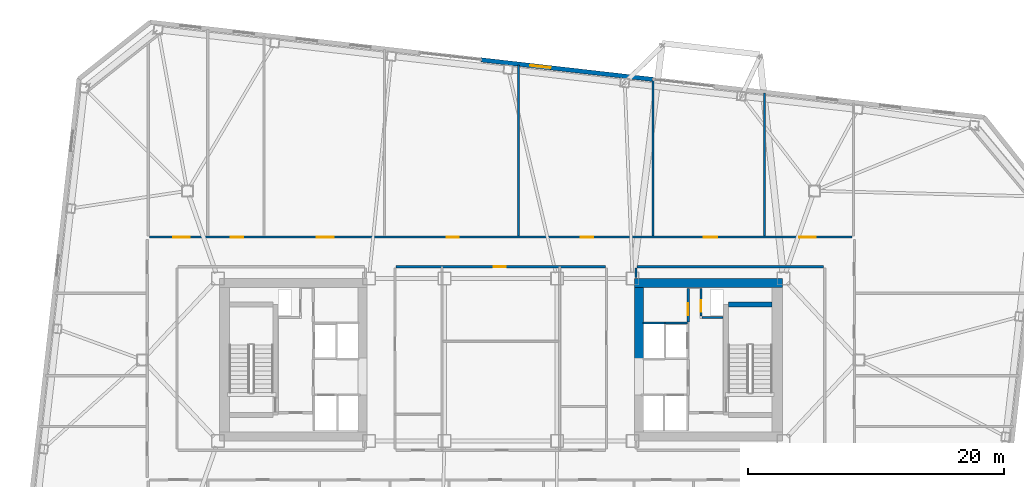
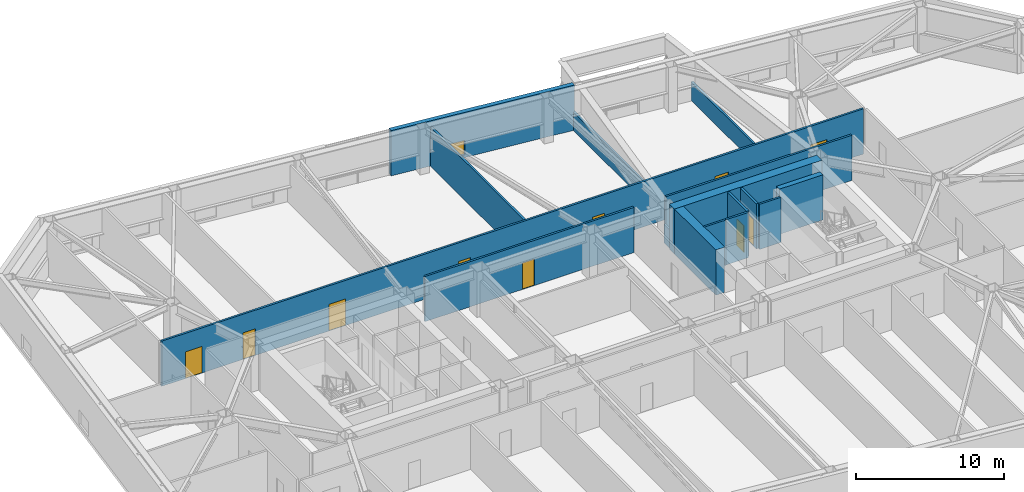
# One storey, part 14 of 21: 16 walls, 10 doors, 1 window, 11 openings.
"""IFC4 building model written with IfcOpenShell, lengths in metres."""

from ifc_helpers import new_model, si_unit, direction, frame, frame_2d, origin, place, context, subcontext, project, spatial, rectangle, extrude, material, layer, layer_set, type_object, element, fill, save


model = new_model("IFC4")

# Units and contexts
model_context = context("Model", 3, precision=1e-05, world=origin(), true_north=direction((0.0, 1.0)))
body_context = subcontext(model_context, "Body", "Model", "MODEL_VIEW")
ifc_project = project(units=[si_unit("LENGTHUNIT", "METRE"), si_unit("AREAUNIT", "SQUARE_METRE"), si_unit("VOLUMEUNIT", "CUBIC_METRE"), si_unit("PLANEANGLEUNIT", "RADIAN"), si_unit("MASSUNIT", "GRAM", prefix="KILO")], contexts=[model_context])

# Site, building, storey
site_placement = place(None, origin())
site = spatial("IfcSite", under=ifc_project, at=site_placement, CompositionType="ELEMENT")
building_placement = place(site_placement, origin())
building = spatial("IfcBuilding", under=site, at=building_placement, Name="Tavrogorsk Clinical Tower", CompositionType="ELEMENT")
storey_placement = place(building_placement, frame((0.0, 0.0, 109.39990234375)))
storey = spatial("IfcBuildingStorey", under=building, at=storey_placement, Name="L24", CompositionType="ELEMENT", Elevation=109.39990234375)

# Wall, opening, door
ifc_material_1 = material(Name="Concrete B60", Category="concrete")
ifc_layer_1 = layer(ifc_material_1, 0.199951171875)
ifc_layer_set_1 = layer_set([ifc_layer_1], Name="Concrete B60")
wall_type_1 = type_object("IfcWallType", Name="CoreFireWall_200", PredefinedType="SOLIDWALL", material=ifc_layer_set_1)
wall_1_placement = place(storey_placement, frame((14.639892578125, 2.9599609375, 0.0), z_axis=(0.0, 0.0, 1.0), x_axis=(0.0, 1.0, 0.0)))
wall_1 = element("IfcWall", 1, at=wall_1_placement, inside=storey, type_object=wall_type_1, Name="L24 Core East North Core Room East Wall", PredefinedType="SOLIDWALL", context=body_context, shape_type="SweptSolid", body=[
    extrude(rectangle(XDim=2.60009765625, YDim=0.199951171875, at=frame_2d((1.300048828125, 0.0))), origin(), (0.0, 0.0, 1.0), 3.739990234375),
])
opening_1_placement = place(wall_1_placement, frame((0.52001953125, 0.0, 0.0)))
opening_1 = element("IfcOpeningElement", 2, at=opening_1_placement, cuts=wall_1, Name="Opening ID-02", PredefinedType="OPENING", context=body_context, shape_type="SweptSolid", body=[
    extrude(rectangle(XDim=0.949951171875, YDim=2.199951171875, at=frame_2d((0.47509765625, 1.10009765625))), frame((0.0, 0.10986328125, 0.0), z_axis=(0.0, -1.0, 0.0), x_axis=(1.0, 0.0, 0.0)), (0.0, 0.0, 1.0), 0.219970703125),
])
ifc_material_2 = material(Name="Laminated timber leaf on aluminium frame", Category="wood")
door_type_1 = type_object("IfcDoorType", Name="InteriorDoor_ID02_950", OperationType="NOTDEFINED", PredefinedType="DOOR", material=ifc_material_2)
door_1_placement = place(opening_1_placement, origin())
door_1 = element("IfcDoor", 3, at=door_1_placement, inside=storey, type_object=door_type_1, Name="L24 Core East Core Telemetry Room Door", OperationType="SINGLE_SWING_LEFT", OverallHeight=2.199951171875, OverallWidth=0.949951171875, PredefinedType="DOOR", context=body_context, shape_type="SweptSolid", body=[
    extrude(rectangle(XDim=0.949951171875, YDim=2.199951171875, at=frame_2d((0.47509765625, 1.10009765625))), frame((0.0, 0.02490234375, 0.0), z_axis=(0.0, -1.0, 0.0), x_axis=(1.0, 0.0, 0.0)), (0.0, 0.0, 1.0), 0.050048828125),
])
fill(opening_1, door_1)

# Wall, openings, doors
ifc_material_3 = material(Name="Lightweight concrete blockwork B15", Category="masonry")
ifc_layer_2 = layer(ifc_material_3, 0.159912109375)
ifc_layer_set_2 = layer_set([ifc_layer_2], Name="Lightweight concrete blockwork B15")
wall_type_2 = type_object("IfcWallType", Name="PartitionWall_160", PredefinedType="PARTITIONING", material=ifc_layer_set_2)
wall_2_placement = place(storey_placement, frame((-27.465087890625, 9.580078125, 0.0), z_axis=(0.0, 0.0, 1.0), x_axis=(1.0, 0.0, 0.0)))
wall_2 = element("IfcWall", 4, at=wall_2_placement, inside=storey, type_object=wall_type_2, Name="L24 Corridor Partition 02", PredefinedType="PARTITIONING", context=body_context, shape_type="SweptSolid", body=[
    extrude(rectangle(XDim=54.93017578125, YDim=0.159912109375, at=frame_2d((27.465087890625, 0.0))), origin(), (0.0, 0.0, 1.0), 3.739990234375),
])
opening_2_placement = place(wall_2_placement, frame((1.869140625, 0.0, 0.0)))
opening_2 = element("IfcOpeningElement", 5, at=opening_2_placement, cuts=wall_2, Name="Opening ID-01", PredefinedType="OPENING", context=body_context, shape_type="SweptSolid", body=[
    extrude(rectangle(XDim=1.300048828125, YDim=2.199951171875, at=frame_2d((0.64990234375, 1.10009765625))), frame((0.0, 0.08984375, 0.0), z_axis=(0.0, -1.0, 0.0), x_axis=(1.0, 0.0, 0.0)), (0.0, 0.0, 1.0), 0.179931640625),
])
opening_3_placement = place(wall_2_placement, frame((6.375, 0.0, 0.0)))
opening_3 = element("IfcOpeningElement", 6, at=opening_3_placement, cuts=wall_2, Name="Opening ID-02", PredefinedType="OPENING", context=body_context, shape_type="SweptSolid", body=[
    extrude(rectangle(XDim=0.949951171875, YDim=2.199951171875, at=frame_2d((0.47509765625, 1.10009765625))), frame((0.0, 0.08984375, 0.0), z_axis=(0.0, -1.0, 0.0), x_axis=(1.0, 0.0, 0.0)), (0.0, 0.0, 1.0), 0.179931640625),
])
opening_4_placement = place(wall_2_placement, frame((13.10009765625, 0.0, 0.0)))
opening_4 = element("IfcOpeningElement", 7, at=opening_4_placement, cuts=wall_2, Name="Opening ID-01", PredefinedType="OPENING", context=body_context, shape_type="SweptSolid", body=[
    extrude(rectangle(XDim=1.300048828125, YDim=2.199951171875, at=frame_2d((0.64990234375, 1.10009765625))), frame((0.0, 0.08984375, 0.0), z_axis=(0.0, -1.0, 0.0), x_axis=(1.0, 0.0, 0.0)), (0.0, 0.0, 1.0), 0.179931640625),
])
opening_5_placement = place(wall_2_placement, frame((23.22509765625, 0.0, 0.0)))
opening_5 = element("IfcOpeningElement", 8, at=opening_5_placement, cuts=wall_2, Name="Opening ID-02", PredefinedType="OPENING", context=body_context, shape_type="SweptSolid", body=[
    extrude(rectangle(XDim=0.949951171875, YDim=2.199951171875, at=frame_2d((0.47509765625, 1.10009765625))), frame((0.0, 0.08984375, 0.0), z_axis=(0.0, -1.0, 0.0), x_axis=(1.0, 0.0, 0.0)), (0.0, 0.0, 1.0), 0.179931640625),
])
opening_6_placement = place(wall_2_placement, frame((33.72509765625, 0.0, 0.0)))
opening_6 = element("IfcOpeningElement", 9, at=opening_6_placement, cuts=wall_2, Name="Opening ID-02", PredefinedType="OPENING", context=body_context, shape_type="SweptSolid", body=[
    extrude(rectangle(XDim=0.949951171875, YDim=2.199951171875, at=frame_2d((0.47509765625, 1.10009765625))), frame((0.0, 0.08984375, 0.0), z_axis=(0.0, -1.0, 0.0), x_axis=(1.0, 0.0, 0.0)), (0.0, 0.0, 1.0), 0.179931640625),
])
opening_7_placement = place(wall_2_placement, frame((43.324951171875, 0.0, 0.0)))
opening_7 = element("IfcOpeningElement", 10, at=opening_7_placement, cuts=wall_2, Name="Opening ID-04", PredefinedType="OPENING", context=body_context, shape_type="SweptSolid", body=[
    extrude(rectangle(XDim=1.050048828125, YDim=2.199951171875, at=frame_2d((0.52490234375, 1.10009765625))), frame((0.0, 0.08984375, 0.0), z_axis=(0.0, -1.0, 0.0), x_axis=(1.0, 0.0, 0.0)), (0.0, 0.0, 1.0), 0.179931640625),
])
opening_8_placement = place(wall_2_placement, frame((50.781005859375, 0.0, 0.0)))
opening_8 = element("IfcOpeningElement", 11, at=opening_8_placement, cuts=wall_2, Name="Opening ID-01", PredefinedType="OPENING", context=body_context, shape_type="SweptSolid", body=[
    extrude(rectangle(XDim=1.300048828125, YDim=2.199951171875, at=frame_2d((0.64990234375, 1.10009765625))), frame((0.0, 0.08984375, 0.0), z_axis=(0.0, -1.0, 0.0), x_axis=(1.0, 0.0, 0.0)), (0.0, 0.0, 1.0), 0.179931640625),
])
ifc_material_4 = material(Name="Antibacterial HPL consultation door on aluminium frame", Category="aluminium")
door_type_2 = type_object("IfcDoorType", Name="ConsultDoor_ID04_1050", OperationType="NOTDEFINED", PredefinedType="DOOR", material=ifc_material_4)
door_2_placement = place(opening_7_placement, origin())
door_2 = element("IfcDoor", 12, at=door_2_placement, inside=storey, type_object=door_type_2, Name="L24 North Physiotherapy Rehab Studio 06 Door", OperationType="SINGLE_SWING_RIGHT", OverallHeight=2.199951171875, OverallWidth=1.050048828125, PredefinedType="DOOR", context=body_context, shape_type="SweptSolid", body=[
    extrude(rectangle(XDim=1.050048828125, YDim=2.199951171875, at=frame_2d((0.52490234375, 1.10009765625))), frame((0.0, 0.02490234375, 0.0), z_axis=(0.0, -1.0, 0.0), x_axis=(1.0, 0.0, 0.0)), (0.0, 0.0, 1.0), 0.050048828125),
])
fill(opening_7, door_2)
door_3_placement = place(opening_3_placement, origin())
door_3 = element("IfcDoor", 13, at=door_3_placement, inside=storey, type_object=door_type_1, Name="L24 North Multidisciplinary Case Room 02 Door", OperationType="SINGLE_SWING_RIGHT", OverallHeight=2.199951171875, OverallWidth=0.949951171875, PredefinedType="DOOR", context=body_context, shape_type="SweptSolid", body=[
    extrude(rectangle(XDim=0.949951171875, YDim=2.199951171875, at=frame_2d((0.47509765625, 1.10009765625))), frame((0.0, 0.02490234375, 0.0), z_axis=(0.0, -1.0, 0.0), x_axis=(1.0, 0.0, 0.0)), (0.0, 0.0, 1.0), 0.050048828125),
])
fill(opening_3, door_3)
door_4_placement = place(opening_5_placement, origin())
door_4 = element("IfcDoor", 14, at=door_4_placement, inside=storey, type_object=door_type_1, Name="L24 North Clinical Examination Suite 04 Door", OperationType="SINGLE_SWING_RIGHT", OverallHeight=2.199951171875, OverallWidth=0.949951171875, PredefinedType="DOOR", context=body_context, shape_type="SweptSolid", body=[
    extrude(rectangle(XDim=0.949951171875, YDim=2.199951171875, at=frame_2d((0.47509765625, 1.10009765625))), frame((0.0, 0.02490234375, 0.0), z_axis=(0.0, -1.0, 0.0), x_axis=(1.0, 0.0, 0.0)), (0.0, 0.0, 1.0), 0.050048828125),
])
fill(opening_5, door_4)
door_5_placement = place(opening_6_placement, origin())
door_5 = element("IfcDoor", 15, at=door_5_placement, inside=storey, type_object=door_type_1, Name="L24 North Diagnostic Ultrasound Suite 05 Door", OperationType="SINGLE_SWING_LEFT", OverallHeight=2.199951171875, OverallWidth=0.949951171875, PredefinedType="DOOR", context=body_context, shape_type="SweptSolid", body=[
    extrude(rectangle(XDim=0.949951171875, YDim=2.199951171875, at=frame_2d((0.47509765625, 1.10009765625))), frame((0.0, 0.02490234375, 0.0), z_axis=(0.0, -1.0, 0.0), x_axis=(1.0, 0.0, 0.0)), (0.0, 0.0, 1.0), 0.050048828125),
])
fill(opening_6, door_5)
ifc_material_5 = material(Name="Antibacterial HPL medical leaf on aluminium frame", Category="aluminium")
door_type_3 = type_object("IfcDoorType", Name="WardBedDoor_ID01_1300", OperationType="NOTDEFINED", PredefinedType="DOOR", material=ifc_material_5)
door_6_placement = place(opening_2_placement, origin())
door_6 = element("IfcDoor", 16, at=door_6_placement, inside=storey, type_object=door_type_3, Name="L24 North Sub-Acute Recovery Ward 01 Door", OperationType="SINGLE_SWING_LEFT", OverallHeight=2.199951171875, OverallWidth=1.300048828125, PredefinedType="DOOR", context=body_context, shape_type="SweptSolid", body=[
    extrude(rectangle(XDim=1.300048828125, YDim=2.199951171875, at=frame_2d((0.64990234375, 1.10009765625))), frame((0.0, 0.02490234375, 0.0), z_axis=(0.0, -1.0, 0.0), x_axis=(1.0, 0.0, 0.0)), (0.0, 0.0, 1.0), 0.050048828125),
])
fill(opening_2, door_6)
door_7_placement = place(opening_4_placement, origin())
door_7 = element("IfcDoor", 17, at=door_7_placement, inside=storey, type_object=door_type_3, Name="L24 North Inpatient Clinical Ward 03 Door", OperationType="SINGLE_SWING_LEFT", OverallHeight=2.199951171875, OverallWidth=1.300048828125, PredefinedType="DOOR", context=body_context, shape_type="SweptSolid", body=[
    extrude(rectangle(XDim=1.300048828125, YDim=2.199951171875, at=frame_2d((0.64990234375, 1.10009765625))), frame((0.0, 0.02490234375, 0.0), z_axis=(0.0, -1.0, 0.0), x_axis=(1.0, 0.0, 0.0)), (0.0, 0.0, 1.0), 0.050048828125),
])
fill(opening_4, door_7)
door_8_placement = place(opening_8_placement, origin())
door_8 = element("IfcDoor", 18, at=door_8_placement, inside=storey, type_object=door_type_3, Name="L24 North Step-Down Telemetry Ward 07 Door", OperationType="SINGLE_SWING_LEFT", OverallHeight=2.199951171875, OverallWidth=1.300048828125, PredefinedType="DOOR", context=body_context, shape_type="SweptSolid", body=[
    extrude(rectangle(XDim=1.300048828125, YDim=2.199951171875, at=frame_2d((0.64990234375, 1.10009765625))), frame((0.0, 0.02490234375, 0.0), z_axis=(0.0, -1.0, 0.0), x_axis=(1.0, 0.0, 0.0)), (0.0, 0.0, 1.0), 0.050048828125),
])
fill(opening_8, door_8)

# Walls
wall_3_placement = place(storey_placement, frame((25.235107421875, 7.27001953125, 0.0), z_axis=(0.0, 0.0, 1.0), x_axis=(-1.0, 0.0, 0.0)))
element("IfcWall", 19, at=wall_3_placement, inside=storey, type_object=wall_type_2, Name="L24 Corridor Partition 05", PredefinedType="PARTITIONING", context=body_context, shape_type="SweptSolid", body=[
    extrude(rectangle(XDim=14.570068359375, YDim=0.159912109375, at=frame_2d((7.28515625, 0.0))), origin(), (0.0, 0.0, 1.0), 3.739990234375),
])
wall_4_placement = place(storey_placement, frame((10.580078125, 7.18505859375, 0.0), z_axis=(0.0, 0.0, 1.0), x_axis=(0.0, -1.0, 0.0)))
element("IfcWall", 20, at=wall_4_placement, inside=storey, type_object=wall_type_2, Name="L24 Corridor Partition 06", PredefinedType="PARTITIONING", context=body_context, shape_type="SweptSolid", body=[
    extrude(rectangle(XDim=0.76513671875, YDim=0.159912109375, at=frame_2d((0.382568359375, 0.0))), origin(), (0.0, 0.0, 1.0), 1.53515625),
])

# Wall, opening, door
wall_5_placement = place(storey_placement, frame((8.18505859375, 7.27001953125, 0.0), z_axis=(0.0, 0.0, 1.0), x_axis=(-1.0, 0.0, 0.0)))
wall_5 = element("IfcWall", 21, at=wall_5_placement, inside=storey, type_object=wall_type_2, Name="L24 Corridor Partition 11", PredefinedType="PARTITIONING", context=body_context, shape_type="SweptSolid", body=[
    extrude(rectangle(XDim=16.3701171875, YDim=0.159912109375, at=frame_2d((8.18505859375, 0.0))), origin(), (0.0, 0.0, 1.0), 3.739990234375),
])
opening_9_placement = place(wall_5_placement, frame((7.794921875, 0.0, 0.0)))
opening_9 = element("IfcOpeningElement", 22, at=opening_9_placement, cuts=wall_5, Name="Opening ID-02", PredefinedType="OPENING", context=body_context, shape_type="SweptSolid", body=[
    extrude(rectangle(XDim=0.949951171875, YDim=2.199951171875, at=frame_2d((0.47509765625, 1.10009765625))), frame((0.0, 0.08984375, 0.0), z_axis=(0.0, -1.0, 0.0), x_axis=(1.0, 0.0, 0.0)), (0.0, 0.0, 1.0), 0.179931640625),
])
door_9_placement = place(opening_9_placement, origin())
door_9 = element("IfcDoor", 23, at=door_9_placement, inside=storey, type_object=door_type_1, Name="L24 Nurses' Station & Triage Hub Door", OperationType="SINGLE_SWING_LEFT", OverallHeight=2.199951171875, OverallWidth=0.949951171875, PredefinedType="DOOR", context=body_context, shape_type="SweptSolid", body=[
    extrude(rectangle(XDim=0.949951171875, YDim=2.199951171875, at=frame_2d((0.47509765625, 1.10009765625))), frame((0.0, 0.02490234375, 0.0), z_axis=(0.0, -1.0, 0.0), x_axis=(1.0, 0.0, 0.0)), (0.0, 0.0, 1.0), 0.050048828125),
])
fill(opening_9, door_9)

# Walls
wall_6_placement = place(storey_placement, frame((1.39990234375, 9.6650390625, 0.0), z_axis=(0.0, 0.0, 1.0), x_axis=(0.0, 1.0, 0.0)))
element("IfcWall", 24, at=wall_6_placement, inside=storey, type_object=wall_type_2, Name="L24 North Room Partition 4", PredefinedType="PARTITIONING", context=body_context, shape_type="SweptSolid", body=[
    extrude(rectangle(XDim=13.36767578125, YDim=0.159912109375, at=frame_2d((6.683837890625, 0.0))), origin(), (0.0, 0.0, 1.0), 3.235107421875),
])
wall_7_placement = place(storey_placement, frame((11.89990234375, 9.6650390625, 0.0), z_axis=(0.0, 0.0, 1.0), x_axis=(0.0, 1.0, 0.0)))
element("IfcWall", 25, at=wall_7_placement, inside=storey, type_object=wall_type_2, Name="L24 North Room Partition 5", PredefinedType="PARTITIONING", context=body_context, shape_type="SweptSolid", body=[
    extrude(rectangle(XDim=12.17138671875, YDim=0.159912109375, at=frame_2d((6.085693359375, 0.0))), origin(), (0.0, 0.0, 1.0), 1.53515625),
])
wall_8_placement = place(storey_placement, frame((20.60009765625, 9.6650390625, 0.0), z_axis=(0.0, 0.0, 1.0), x_axis=(0.0, 1.0, 0.0)))
element("IfcWall", 26, at=wall_8_placement, inside=storey, type_object=wall_type_2, Name="L24 North Room Partition 6", PredefinedType="PARTITIONING", context=body_context, shape_type="SweptSolid", body=[
    extrude(rectangle(XDim=11.18017578125, YDim=0.159912109375, at=frame_2d((5.590087890625, 0.0))), origin(), (0.0, 0.0, 1.0), 1.53515625),
])

# Wall, opening, window
ifc_material_6 = material(Name="Precast concrete B45 with limestone cladding", Category="masonry")
ifc_layer_3 = layer(ifc_material_6, 0.340087890625)
ifc_layer_set_3 = layer_set([ifc_layer_3], Name="Precast concrete B45 with limestone cladding")
wall_type_3 = type_object("IfcWallType", Name="PrecastLimestoneWall_340", PredefinedType="STANDARD", material=ifc_layer_set_3)
wall_9_placement = place(storey_placement, frame((11.921875, 21.904541015625, 0.0), z_axis=(0.0, 0.0, 1.0), x_axis=(-0.993571685551, 0.11320470693, 0.0)))
wall_9 = element("IfcWall", 27, at=wall_9_placement, inside=storey, type_object=wall_type_3, Name="L24 N Limestone Facade Wall 2", PredefinedType="STANDARD", context=body_context, shape_type="SweptSolid", body=[
    extrude(rectangle(XDim=13.554443359375, YDim=0.340087890625, at=frame_2d((6.77734375, 0.0))), origin(), (0.0, 0.0, 1.0), 3.739990234375),
])
opening_10_placement = place(wall_9_placement, frame((8.087890625, 0.0, 0.219970703125)))
opening_10 = element("IfcOpeningElement", 28, at=opening_10_placement, cuts=wall_9, Name="Opening WN-09", PredefinedType="OPENING", context=body_context, shape_type="SweptSolid", body=[
    extrude(rectangle(XDim=1.60009765625, YDim=1.199951171875, at=frame_2d((0.800048828125, 0.60009765625))), frame((0.0, 0.179931640625, 0.0), z_axis=(0.0, -1.0, 0.0), x_axis=(1.0, 0.0, 0.0)), (0.0, 0.0, 1.0), 0.360107421875),
])
ifc_material_7 = material(Name="Thermally broken aluminium frame and triple IGU", Category="aluminium")
window_type = type_object("IfcWindowType", Name="LowHeadTransWin_1600x1200", PartitioningType="DOUBLE_PANEL_VERTICAL", PredefinedType="WINDOW", material=ifc_material_7)
window_placement = place(opening_10_placement, origin())
window = element("IfcWindow", 29, at=window_placement, inside=storey, type_object=window_type, Name="L24 N Chicago Window 05", OverallHeight=1.199951171875, OverallWidth=1.60009765625, PartitioningType="SINGLE_PANEL", PredefinedType="WINDOW", context=body_context, shape_type="SweptSolid", body=[
    extrude(rectangle(XDim=1.60009765625, YDim=1.199951171875, at=frame_2d((0.800048828125, 0.60009765625))), frame((0.0, 0.030029296875, 0.0), z_axis=(0.0, -1.0, 0.0), x_axis=(1.0, 0.0, 0.0)), (0.0, 0.0, 1.0), 0.06005859375),
])
fill(opening_10, window)

# Walls
ifc_material_8 = material(Name="Lightweight concrete blockwork B25", Category="masonry")
ifc_layer_4 = layer(ifc_material_8, 0.159912109375)
ifc_layer_set_4 = layer_set([ifc_layer_4], Name="Lightweight concrete blockwork B25")
wall_type_4 = type_object("IfcWallType", Name="ShaftWall_160", PredefinedType="PARTITIONING", material=ifc_layer_set_4)
wall_10_placement = place(storey_placement, frame((12.840087890625, 2.8798828125, 0.0), z_axis=(0.0, 0.0, 1.0), x_axis=(1.0, 0.0, 0.0)))
element("IfcWall", 30, at=wall_10_placement, inside=storey, type_object=wall_type_4, Name="L24 FFL-E Shaft North Wall", PredefinedType="PARTITIONING", context=body_context, shape_type="SweptSolid", body=[
    extrude(rectangle(XDim=1.760009765625, YDim=0.159912109375, at=frame_2d((0.8798828125, 0.0))), origin(), (0.0, 0.0, 1.0), 3.739990234375),
])
wall_11_placement = place(storey_placement, frame((11.10009765625, 2.860107421875, 0.0), z_axis=(0.0, 0.0, 1.0), x_axis=(1.0, 0.0, 0.0)))
element("IfcWall", 31, at=wall_11_placement, inside=storey, type_object=wall_type_4, Name="L24 LP-H2 High-Zone Lift Rear Wall", PredefinedType="PARTITIONING", context=body_context, shape_type="SweptSolid", body=[
    extrude(rectangle(XDim=1.719970703125, YDim=0.159912109375, at=frame_2d((0.85986328125, 0.0))), origin(), (0.0, 0.0, 1.0), 3.739990234375),
])

# Wall, opening, door
wall_12_placement = place(storey_placement, frame((15.639892578125, 3.405029296875, 0.0), z_axis=(0.0, 0.0, 1.0), x_axis=(0.0, 1.0, 0.0)))
wall_12 = element("IfcWall", 32, at=wall_12_placement, inside=storey, type_object=wall_type_4, Name="L24 Core East Riser West Wall", PredefinedType="PARTITIONING", context=body_context, shape_type="SweptSolid", body=[
    extrude(rectangle(XDim=2.155029296875, YDim=0.159912109375, at=frame_2d((1.07763671875, 0.0))), origin(), (0.0, 0.0, 1.0), 3.739990234375),
])
opening_11_placement = place(wall_12_placement, frame((0.35009765625, 0.0, 0.0)))
opening_11 = element("IfcOpeningElement", 33, at=opening_11_placement, cuts=wall_12, Name="Opening FD-02", PredefinedType="OPENING", context=body_context, shape_type="SweptSolid", body=[
    extrude(rectangle(XDim=0.89990234375, YDim=2.199951171875, at=frame_2d((0.449951171875, 1.10009765625))), frame((0.0, 0.08984375, 0.0), z_axis=(0.0, -1.0, 0.0), x_axis=(1.0, 0.0, 0.0)), (0.0, 0.0, 1.0), 0.179931640625),
])
ifc_material_9 = material(Name="Galvanised steel fire-rated door assembly", Category="steel")
door_type_4 = type_object("IfcDoorType", Name="FireDoor_FD02_900", OperationType="NOTDEFINED", PredefinedType="DOOR", material=ifc_material_9)
door_10_placement = place(opening_11_placement, origin())
door_10 = element("IfcDoor", 34, at=door_10_placement, inside=storey, type_object=door_type_4, Name="L24 Core East Electrical Riser Access Door", OperationType="SINGLE_SWING_LEFT", OverallHeight=2.199951171875, OverallWidth=0.89990234375, PredefinedType="DOOR", context=body_context, shape_type="SweptSolid", body=[
    extrude(rectangle(XDim=0.89990234375, YDim=2.199951171875, at=frame_2d((0.449951171875, 1.10009765625))), frame((0.0, 0.02490234375, 0.0), z_axis=(0.0, -1.0, 0.0), x_axis=(1.0, 0.0, 0.0)), (0.0, 0.0, 1.0), 0.050048828125),
])
fill(opening_11, door_10)

# Walls
wall_13_placement = place(storey_placement, frame((15.72509765625, 3.320068359375, 0.0), z_axis=(0.0, 0.0, 1.0), x_axis=(1.0, 0.0, 0.0)))
element("IfcWall", 35, at=wall_13_placement, inside=storey, type_object=wall_type_4, Name="L24 Core East Riser South Wall", PredefinedType="PARTITIONING", context=body_context, shape_type="SweptSolid", body=[
    extrude(rectangle(XDim=1.65478515625, YDim=0.159912109375, at=frame_2d((0.827392578125, 0.0))), origin(), (0.0, 0.0, 1.0), 3.739990234375),
])
ifc_material_10 = material(Name="Concrete B80", Category="concrete")
ifc_layer_5 = layer(ifc_material_10, 0.39990234375)
ifc_layer_set_5 = layer_set([ifc_layer_5], Name="Concrete B80")
wall_type_5 = type_object("IfcWallType", Name="ShearWall_400", PredefinedType="SHEAR", material=ifc_layer_set_5)
wall_14_placement = place(storey_placement, frame((17.800048828125, 4.324951171875, 0.0), z_axis=(0.0, 0.0, 1.0), x_axis=(1.0, 0.0, 0.0)))
element("IfcWall", 36, at=wall_14_placement, inside=storey, type_object=wall_type_5, Name="L24 Core East Stair Shaft North Shear Wall", PredefinedType="SHEAR", context=body_context, shape_type="SweptSolid", body=[
    extrude(rectangle(XDim=3.39990234375, YDim=0.39990234375, at=frame_2d((1.699951171875, 0.0))), origin(), (0.0, 0.0, 1.0), 3.739990234375),
])
ifc_material_11 = material(Name="Concrete B80", Category="concrete")
ifc_layer_6 = layer(ifc_material_11, 0.699951171875)
ifc_layer_set_6 = layer_set([ifc_layer_6], Name="Concrete B80")
wall_type_6 = type_object("IfcWallType", Name="ShearWall_700", PredefinedType="SHEAR", material=ifc_layer_set_6)
wall_15_placement = place(storey_placement, frame((10.449951171875, 6.0, 0.0), z_axis=(0.0, 0.0, 1.0), x_axis=(1.0, 0.0, 0.0)))
element("IfcWall", 37, at=wall_15_placement, inside=storey, type_object=wall_type_6, Name="L24 Core East North Shear Wall", PredefinedType="SHEAR", context=body_context, shape_type="SweptSolid", body=[
    extrude(rectangle(XDim=11.550048828125, YDim=0.699951171875, at=frame_2d((5.77490234375, 0.0))), origin(), (0.0, 0.0, 1.0), 3.739990234375),
])
wall_16_placement = place(storey_placement, frame((10.800048828125, 0.050048828125, 0.0), z_axis=(0.0, 0.0, 1.0), x_axis=(0.0, 1.0, 0.0)))
element("IfcWall", 38, at=wall_16_placement, inside=storey, type_object=wall_type_6, Name="L24 Core East Inner North Pier", PredefinedType="SHEAR", context=body_context, shape_type="SweptSolid", body=[
    extrude(rectangle(XDim=5.599853515625, YDim=0.699951171875, at=frame_2d((2.7998046875, 0.0))), origin(), (0.0, 0.0, 1.0), 3.739990234375),
])

save(model, "model.ifc")
